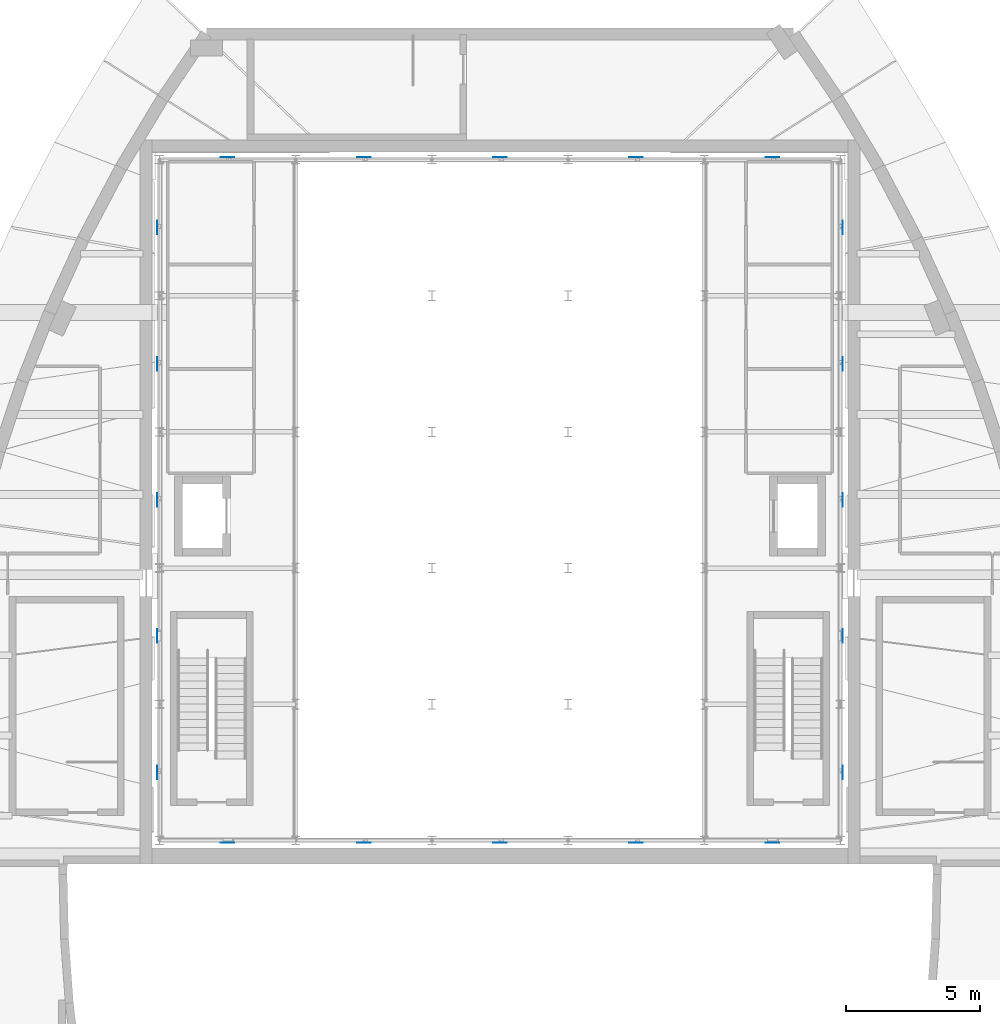
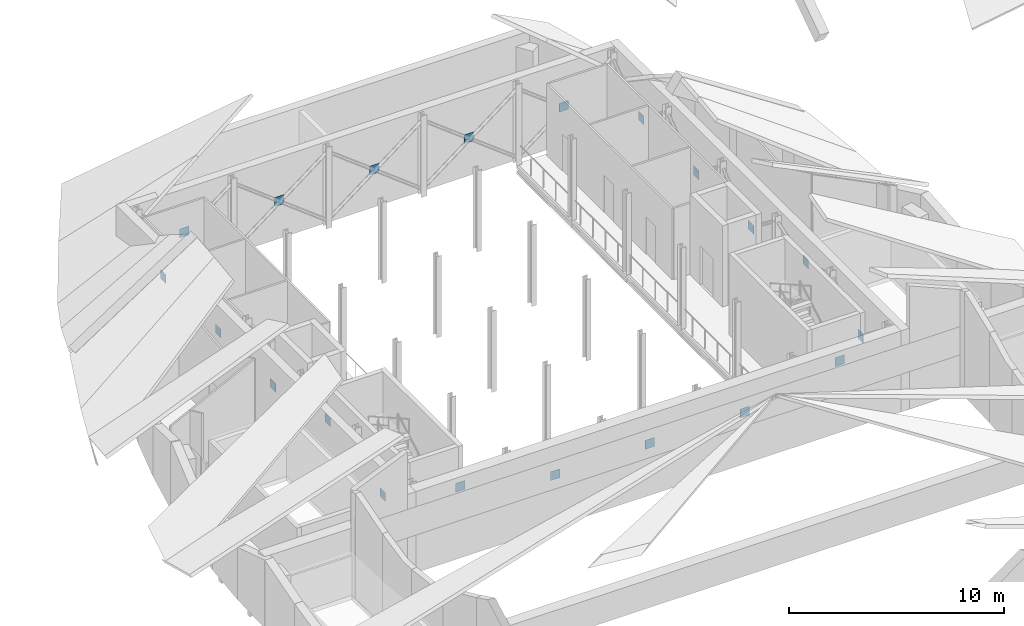
# One storey, part 10 of 17: 20 plates.
"""IFC4 building model written with IfcOpenShell, lengths in metres."""

from ifc_helpers import new_model, si_unit, direction, frame, origin, origin_2d, place, context, subcontext, project, spatial, rectangle, extrude, material, layer, layer_set, type_object, element, save


model = new_model("IFC4")

# Units and contexts
model_context = context("Model", 3, precision=1e-05, world=origin(), true_north=direction((0.0, 1.0)))
body_context = subcontext(model_context, "Body", "Model", "MODEL_VIEW")
ifc_project = project(units=[si_unit("LENGTHUNIT", "METRE"), si_unit("AREAUNIT", "SQUARE_METRE"), si_unit("VOLUMEUNIT", "CUBIC_METRE"), si_unit("PLANEANGLEUNIT", "RADIAN"), si_unit("MASSUNIT", "GRAM", prefix="KILO")], contexts=[model_context])

# Site, building, storey
site_placement = place(None, origin())
site = spatial("IfcSite", under=ifc_project, at=site_placement, CompositionType="ELEMENT")
building_placement = place(site_placement, origin())
building = spatial("IfcBuilding", under=site, at=building_placement, Name="Tide Square Theatres", CompositionType="ELEMENT")
storey_placement = place(building_placement, frame((0.0, 0.0, 14.800048828125)))
storey = spatial("IfcBuildingStorey", under=building, at=storey_placement, Name="L03", CompositionType="ELEMENT", Elevation=14.800048828125)

# Plates
ifc_material = material(Name="Steel ASTM A572 Grade 50", Category="steel")
ifc_layer = layer(ifc_material, 0.010009765625)
ifc_layer_set = layer_set([ifc_layer], Name="Steel ASTM A572 Grade 50")
plate_type = type_object("IfcPlateType", Name="Steel end plate 10 thick", PredefinedType="USERDEFINED", material=ifc_layer_set)
for number, where, z_axis, x_axis, name in (
    (1, (73.82080078125, 56.18896484375, 3.172607421875), (0.0, 0.0, 1.0), (0.0, -1.0, 0.0), "Fly tower brace crossing node plate"),
    (2, (78.910400390625, 56.18896484375, 2.047607421875), (0.0, 0.0, 1.0), (0.0, -1.0, 0.0), "Fly tower brace crossing node plate"),
    (3, (84.0, 56.18896484375, 2.047607421875), (0.0, 0.0, 1.0), (0.0, -1.0, 0.0), "Fly tower brace crossing node plate"),
    (4, (89.089599609375, 56.18896484375, 2.047607421875), (0.0, 0.0, 1.0), (0.0, -1.0, 0.0), "Fly tower brace crossing node plate"),
    (5, (94.17919921875, 56.18896484375, 3.172607421875), (0.0, 0.0, 1.0), (0.0, -1.0, 0.0), "Fly tower brace crossing node plate"),
    (6, (73.82080078125, 81.81103515625, 2.047607421875), (0.0, 0.0, 1.0), (0.0, 1.0, 0.0), "Fly tower brace crossing node plate"),
    (7, (78.910400390625, 81.81103515625, 2.047607421875), (0.0, 0.0, 1.0), (0.0, 1.0, 0.0), "Fly tower brace crossing node plate"),
    (8, (84.0, 81.81103515625, 2.047607421875), (0.0, 0.0, 1.0), (0.0, 1.0, 0.0), "Fly tower brace crossing node plate"),
    (9, (89.089599609375, 81.81103515625, 2.047607421875), (0.0, 0.0, 1.0), (0.0, 1.0, 0.0), "Fly tower brace crossing node plate"),
    (10, (94.17919921875, 81.81103515625, 2.047607421875), (0.0, 0.0, 1.0), (0.0, 1.0, 0.0), "Fly tower brace crossing node plate"),
    (11, (71.18896484375, 58.82080078125, 2.047607421875), (0.0, 0.0, 1.0), (-1.0, 0.0, 0.0), "Fly tower brace crossing node plate"),
    (12, (71.18896484375, 63.910400390625, 3.172607421875), (0.0, 0.0, 1.0), (-1.0, 0.0, 0.0), "Fly tower brace crossing node plate"),
    (13, (71.18896484375, 69.0, 2.047607421875), (0.0, 0.0, 1.0), (-1.0, 0.0, 0.0), "Fly tower brace crossing node plate"),
    (14, (71.18896484375, 74.089599609375, 2.047607421875), (0.0, 0.0, 1.0), (-1.0, 0.0, 0.0), "Fly tower brace crossing node plate"),
    (15, (71.18896484375, 79.17919921875, 2.047607421875), (0.0, 0.0, 1.0), (-1.0, 0.0, 0.0), "Fly tower brace crossing node plate"),
    (16, (96.81103515625, 58.82080078125, 2.047607421875), (0.0, 0.0, 1.0), (1.0, 0.0, 0.0), "Fly tower brace crossing node plate"),
    (17, (96.81103515625, 63.910400390625, 3.172607421875), (0.0, 0.0, 1.0), (1.0, 0.0, 0.0), "Fly tower brace crossing node plate"),
    (18, (96.81103515625, 69.0, 2.047607421875), (0.0, 0.0, 1.0), (1.0, 0.0, 0.0), "Fly tower brace crossing node plate"),
    (19, (96.81103515625, 74.089599609375, 2.047607421875), (0.0, 0.0, 1.0), (1.0, 0.0, 0.0), "Fly tower brace crossing node plate"),
    (20, (96.81103515625, 79.17919921875, 2.047607421875), (0.0, 0.0, 1.0), (1.0, 0.0, 0.0), "Fly tower brace crossing node plate"),
):
    element("IfcPlate", number, at=place(storey_placement, frame(where, z_axis=z_axis, x_axis=x_axis)), inside=storey, type_object=plate_type, Name=name, ObjectType="END PLATE", PredefinedType="USERDEFINED", context=body_context, shape_type="SweptSolid", body=[
        extrude(rectangle(XDim=0.010009765625, YDim=0.5048828125, at=origin_2d()), origin(), (0.0, 0.0, 1.0), 0.5048828125),
    ])

save(model, "model.ifc")
